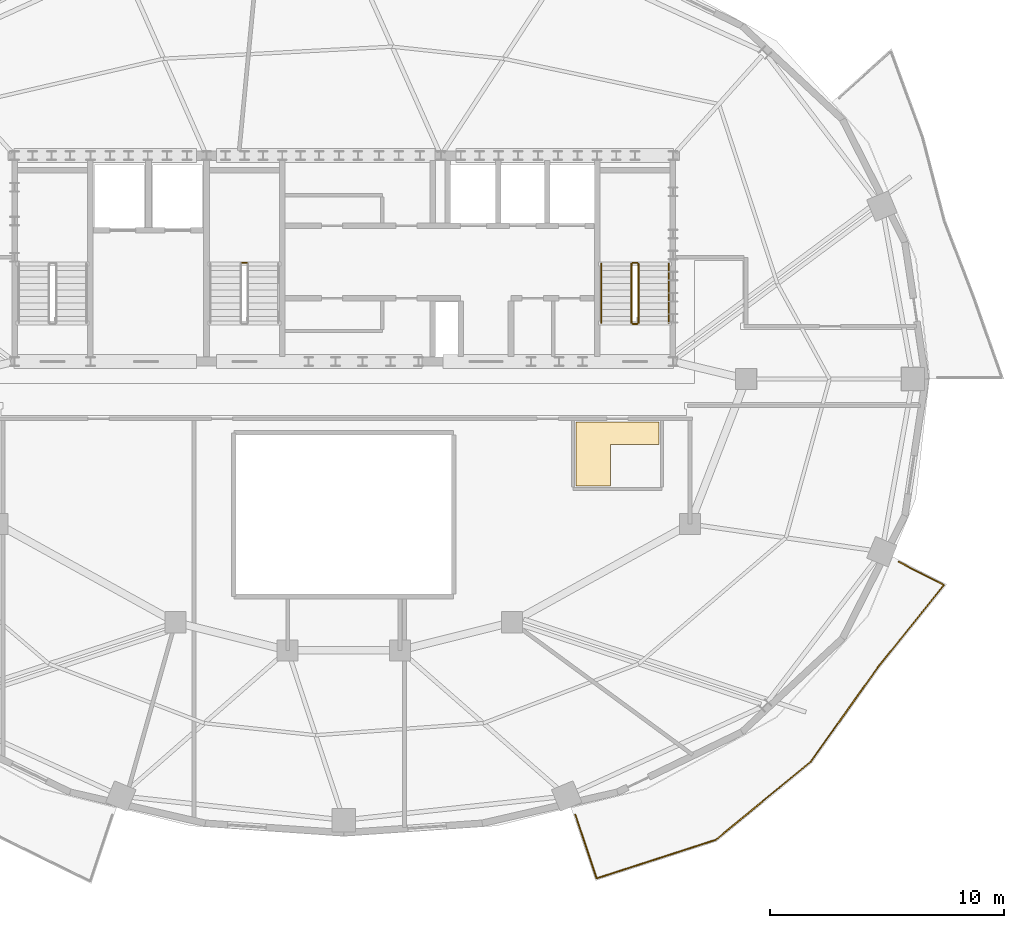
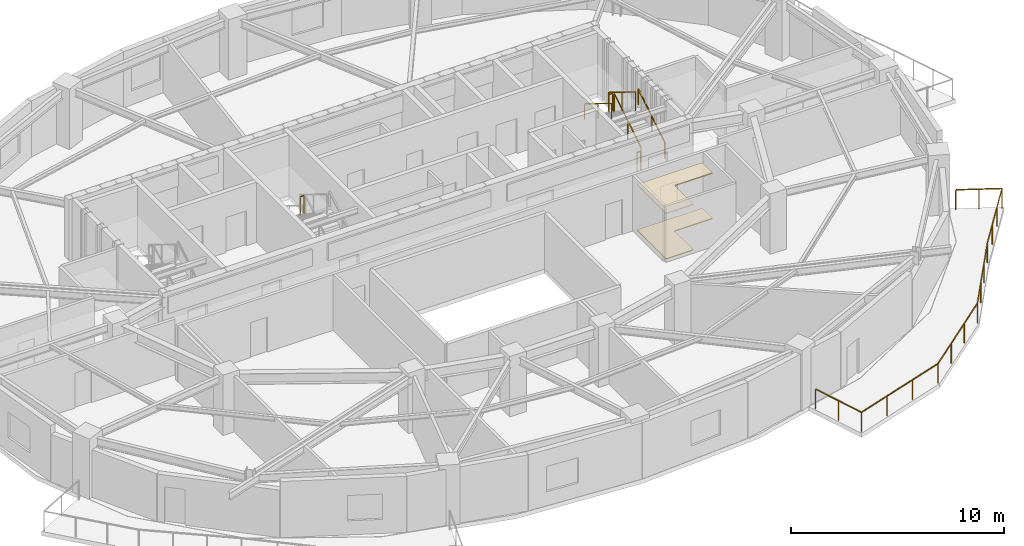
# One storey, part 9 of 10: 8 railings, 2 coverings.
"""IFC4 building model written with IfcOpenShell, lengths in metres."""

import ifcopenshell
import ifcopenshell.guid

model = None  # the IFC model being written
_history = None  # IfcOwnerHistory: only IFC2X3 demands one
_inside = {}  # id of a spatial element -> (the spatial element, [elements in it])
_under = {}  # id of a project, library or spatial element -> (it, [spatial elements below it])
_declared = {}  # id of a project -> (the project, [libraries it declares])
_typed = {}  # id of a type object -> (the type object, [elements of that type])
_made_of = {}  # id of a material, layer set ... -> (it, [elements and type objects made of it])


def new_model(schema):
    """Start an empty IFC model of exactly this schema.

    Asked for "IFC4X3", IfcOpenShell would pick the latest addendum, in which some entities
    have other attributes; the version numbers below select the first issue.
    IFC2X3 requires an IfcOwnerHistory on every rooted entity: one is made here for all.
    """
    global model, _history
    if schema == "IFC4X3":
        model = ifcopenshell.file(schema_version=(4, 3, 0, 0))
    else:
        model = ifcopenshell.file(schema=schema)
    _inside.clear()
    _under.clear()
    _declared.clear()
    _typed.clear()
    _made_of.clear()
    _history = None
    if model.schema == "IFC2X3":
        org = make("IfcOrganization", Name="unknown")
        user = make(
            "IfcPersonAndOrganization",
            ThePerson=make("IfcPerson", FamilyName="unknown"),
            TheOrganization=org,
        )
        app = make(
            "IfcApplication",
            ApplicationDeveloper=org,
            Version="unknown",
            ApplicationFullName="unknown",
            ApplicationIdentifier="unknown",
        )
        _history = make(
            "IfcOwnerHistory",
            OwningUser=user,
            OwningApplication=app,
            ChangeAction="ADDED",
            CreationDate=0,
        )
    return model


def make(cls, **values):
    """One entity of the class cls with the attributes given. An attribute that is None is left unset."""
    return model.create_entity(
        cls, **{name: value for name, value in values.items() if value is not None}
    )


def rooted(cls, **values):
    """An entity with a GlobalId (a new one), such as an element, a storey or a relation."""
    return make(cls, GlobalId=ifcopenshell.guid.new(), OwnerHistory=_history, **values)


def si_unit(unit_type, name, prefix=None):
    """IfcSIUnit, for example si_unit("LENGTHUNIT", "METRE", prefix="MILLI")."""
    return make("IfcSIUnit", UnitType=unit_type, Prefix=prefix, Name=name)


def assignment(units):
    """IfcUnitAssignment: the units of a project."""
    return None if units is None else make("IfcUnitAssignment", Units=units)


def point(xyz):
    """IfcCartesianPoint."""
    return None if xyz is None else make("IfcCartesianPoint", Coordinates=xyz)


def direction(xyz):
    """IfcDirection."""
    return None if xyz is None else make("IfcDirection", DirectionRatios=xyz)


def frame(location, z_axis=None, x_axis=None):
    """IfcAxis2Placement3D, a coordinate frame: its origin and axes. An axis left out is left unset."""
    return make(
        "IfcAxis2Placement3D",
        Location=point(location),
        Axis=direction(z_axis),
        RefDirection=direction(x_axis),
    )


def frame_2d(location, x_axis=None):
    """IfcAxis2Placement2D, a coordinate frame in the plane: its origin and x axis."""
    return make(
        "IfcAxis2Placement2D", Location=point(location), RefDirection=direction(x_axis)
    )


def origin():
    """The frame at (0, 0, 0) with its axes left unset."""
    return frame((0.0, 0.0, 0.0))


def origin_2d():
    """The frame at (0, 0) in the plane with its x axis left unset."""
    return frame_2d((0.0, 0.0))


def place(relative_to, where):
    """IfcLocalPlacement: puts the frame where relative to a parent placement (None: the world)."""
    return make(
        "IfcLocalPlacement", PlacementRelTo=relative_to, RelativePlacement=where
    )


def context(
    kind, dimensions, precision=None, world=None, true_north=None, identifier=None
):
    """IfcGeometricRepresentationContext, for example the 3D "Model" context."""
    return make(
        "IfcGeometricRepresentationContext",
        ContextIdentifier=identifier,
        ContextType=kind,
        CoordinateSpaceDimension=dimensions,
        Precision=precision,
        WorldCoordinateSystem=world,
        TrueNorth=true_north,
    )


def subcontext(parent, identifier, kind, view, scale=None):
    """IfcGeometricRepresentationSubContext, for example "Body" below "Model"."""
    return make(
        "IfcGeometricRepresentationSubContext",
        ContextIdentifier=identifier,
        ContextType=kind,
        ParentContext=parent,
        TargetScale=scale,
        TargetView=view,
    )


def project(units=None, contexts=None):
    """IfcProject with its units and contexts."""
    return rooted(
        "IfcProject",
        Name="project",
        RepresentationContexts=contexts,
        UnitsInContext=assignment(units),
    )


def spatial(cls, under=None, at=None, **own):
    """A site, building, storey or space (cls), placed at a placement, below another one or the project."""
    s = rooted(cls, ObjectPlacement=at, **own)
    if under is not None:
        _under.setdefault(under.id(), (under, []))[1].append(s)
    return s


def polyline(points):
    """IfcPolyline through the points."""
    return make("IfcPolyline", Points=[point(p) for p in points])


def profile(cls, at=None, kind="AREA", **sizes):
    """A parametric profile (cls). Its sizes go by their IFC names, for example OverallWidth=200.0."""
    return make(cls, ProfileType=kind, Position=at, **sizes)


def rectangle(**sizes):
    """IfcRectangleProfileDef."""
    return profile("IfcRectangleProfileDef", **sizes)


def outline(outer, holes=None, kind="AREA"):
    """IfcArbitraryClosedProfileDef: a profile drawn as a closed curve; with holes, ...WithVoids."""
    if holes is None:
        return make("IfcArbitraryClosedProfileDef", ProfileType=kind, OuterCurve=outer)
    return make(
        "IfcArbitraryProfileDefWithVoids",
        ProfileType=kind,
        OuterCurve=outer,
        InnerCurves=holes,
    )


def extrude(swept, where, along, depth):
    """IfcExtrudedAreaSolid: the profile swept, set in the frame where, extruded along a direction by depth."""
    return make(
        "IfcExtrudedAreaSolid",
        SweptArea=swept,
        Position=where,
        ExtrudedDirection=direction(along),
        Depth=depth,
    )


def shape(context_of_items, identifier, shape_type, items):
    """IfcShapeRepresentation: the items that make up one representation, for example the "Body"."""
    return make(
        "IfcShapeRepresentation",
        ContextOfItems=context_of_items,
        RepresentationIdentifier=identifier,
        RepresentationType=shape_type,
        Items=items,
    )


def material(Name=None, Category=None):
    """IfcMaterial."""
    return make("IfcMaterial", Name=Name, Category=Category)


def layer(
    of_material, thickness, ventilated=None, Name=None, Category=None, Priority=None
):
    """IfcMaterialLayer: one layer of a wall or slab, of a material (None: an air gap)."""
    return make(
        "IfcMaterialLayer",
        Material=of_material,
        LayerThickness=thickness,
        IsVentilated=ventilated,
        Name=Name,
        Category=Category,
        Priority=Priority,
    )


def layer_set(layers, Name=None):
    """IfcMaterialLayerSet."""
    return make("IfcMaterialLayerSet", MaterialLayers=layers, LayerSetName=Name)


def made_of(thing, what):
    """Note that an element or type object is made of a material, layer set ...; save() writes the relation."""
    if what is not None:
        _made_of.setdefault(what.id(), (what, []))[1].append(thing)
    return thing


def type_object(cls, material=None, **own):
    """A type object (cls), such as IfcWallType, which elements share."""
    return made_of(rooted(cls, **own), material)


def element(
    cls,
    number,
    at=None,
    inside=None,
    cuts=None,
    type_object=None,
    material=None,
    context=None,
    identifier="Body",
    shape_type=None,
    held_by="IfcProductDefinitionShape",
    body=None,
    shapes=None,
    **own,
):
    """One element of the class cls, such as IfcWall. Its Tag is "e" and its number.

    at: its placement. inside: the storey or other place that contains it. cuts: it is an
    opening in that element (IfcRelVoidsElement). A single representation is given by context,
    identifier, shape_type and body (its items); several are given by shapes. held_by: the class
    of the entity that holds the representations. save() writes the other relations.
    """
    e = rooted(cls, Tag="e%d" % number, ObjectPlacement=at, **own)
    if body is not None:
        shapes = [shape(context, identifier, shape_type, body)]
    if shapes is not None:
        e.Representation = make(held_by, Representations=shapes)
    if inside is not None:
        _inside.setdefault(inside.id(), (inside, []))[1].append(e)
    if cuts is not None:
        rooted(
            "IfcRelVoidsElement", RelatingBuildingElement=cuts, RelatedOpeningElement=e
        )
    if type_object is not None:
        _typed.setdefault(type_object.id(), (type_object, []))[1].append(e)
    return made_of(e, material)


def aggregate(whole, parts):
    """IfcRelAggregates: a whole, such as a stair, and the parts it consists of."""
    return rooted("IfcRelAggregates", RelatingObject=whole, RelatedObjects=parts)


def save(model, path):
    """Write the relations noted so far, then the file.

    IfcRelAggregates (storeys below a building ...), IfcRelContainedInSpatialStructure (elements
    in a storey), IfcRelDefinesByType, IfcRelAssociatesMaterial and IfcRelDeclares: one each for
    every whole, place, type object, material and project.
    """
    for whole, parts in _under.values():
        aggregate(whole, parts)
    for where, things in _inside.values():
        rooted(
            "IfcRelContainedInSpatialStructure",
            RelatedElements=things,
            RelatingStructure=where,
        )
    for kind, things in _typed.values():
        rooted("IfcRelDefinesByType", RelatedObjects=things, RelatingType=kind)
    for what, things in _made_of.values():
        rooted("IfcRelAssociatesMaterial", RelatedObjects=things, RelatingMaterial=what)
    for by, libraries in _declared.values():
        rooted("IfcRelDeclares", RelatingContext=by, RelatedDefinitions=libraries)
    model.write(path)


model = new_model("IFC4")

# Units and contexts
model_context = context("Model", 3, precision=1e-05, world=origin(), true_north=direction((0.0, 1.0)))
body_context = subcontext(model_context, "Body", "Model", "MODEL_VIEW")
ifc_project = project(units=[si_unit("LENGTHUNIT", "METRE"), si_unit("AREAUNIT", "SQUARE_METRE"), si_unit("VOLUMEUNIT", "CUBIC_METRE"), si_unit("PLANEANGLEUNIT", "RADIAN"), si_unit("MASSUNIT", "GRAM", prefix="KILO")], contexts=[model_context])

# Site, building, storey
site_placement = place(None, origin())
site = spatial("IfcSite", under=ifc_project, at=site_placement, CompositionType="ELEMENT")
building_placement = place(site_placement, origin())
building = spatial("IfcBuilding", under=site, at=building_placement, Name="Haldorwick Loom Tower", CompositionType="ELEMENT")
storey_placement = place(building_placement, frame((0.0, 0.0, 266.10009765625)))
storey = spatial("IfcBuildingStorey", under=building, at=storey_placement, Name="L72", CompositionType="ELEMENT", Elevation=266.10009765625)

# Coverings
ifc_material_1 = material(Name="Mineral Fibre Acoustic Ceiling Tile")
ifc_layer_1 = layer(ifc_material_1, 0.054931640625, Name="Mineral Fibre Acoustic Ceiling Tile")
ifc_layer_set_1 = layer_set([ifc_layer_1], Name="Mineral Fibre Acoustic Ceiling Tile")
covering_type_1 = type_object("IfcCoveringType", Name="ARC-COV-CEIL2", PredefinedType="CEILING", material=ifc_layer_set_1)
covering_1_placement = place(storey_placement, frame((0.0, 0.0, 2.594970703125)))
element("IfcCovering", 1, at=covering_1_placement, inside=storey, type_object=covering_type_1, Name="L72 Acoustic Suspended Ceiling 2", PredefinedType="CEILING", context=body_context, shape_type="SweptSolid", body=[
    extrude(outline(polyline([(45.929931640625, 24.159912109375), (45.929931640625, 21.429931640625), (47.39990234375, 21.429931640625), (47.39990234375, 23.199951171875), (49.469970703125, 23.199951171875), (49.469970703125, 24.159912109375), (45.929931640625, 24.159912109375)])), origin(), (0.0, 0.0, 1.0), 0.054931640625),
])
ifc_material_2 = material(Name="Polished Aggregate Terrazzo Finish")
ifc_layer_2 = layer(ifc_material_2, 0.044921875, Name="Polished Aggregate Terrazzo Finish")
ifc_layer_set_2 = layer_set([ifc_layer_2], Name="Polished Aggregate Terrazzo Finish")
covering_type_2 = type_object("IfcCoveringType", Name="ARC-COV-FLOOR2", PredefinedType="FLOORING", material=ifc_layer_set_2)
covering_2_placement = place(storey_placement, origin())
element("IfcCovering", 2, at=covering_2_placement, inside=storey, type_object=covering_type_2, Name="L72 Floor Finish 2", PredefinedType="FLOORING", context=body_context, shape_type="SweptSolid", body=[
    extrude(outline(polyline([(45.929931640625, 24.159912109375), (45.929931640625, 21.429931640625), (47.39990234375, 21.429931640625), (47.39990234375, 23.199951171875), (49.469970703125, 23.199951171875), (49.469970703125, 24.159912109375), (45.929931640625, 24.159912109375)])), origin(), (0.0, 0.0, 1.0), 0.044921875),
])

# Railings
ifc_material_3 = material(Name="Galvanized Steel CSA G40.21 350W", Category="steel")
railing_type_1 = type_object("IfcRailingType", Name="ARC-RLG-BAL115", PredefinedType="BALUSTRADE", material=ifc_material_3)
railing_1_placement = place(storey_placement, frame((59.728515625, 18.178955078125, 0.0)))
element("IfcRailing", 3, at=railing_1_placement, inside=storey, type_object=railing_type_1, Name="L72 Outdoor Terrace Guardrail SLB-L72-BAL_SE-1", PredefinedType="BALUSTRADE", context=body_context, shape_type="SweptSolid", body=[
    extrude(rectangle(XDim=0.048095703125, YDim=0.048095703125, at=origin_2d()), frame((0.0, 0.0, 1.1259765625), z_axis=(0.890008764947, -0.455943415697, 0.0), x_axis=(0.455943415697, 0.890008764947, 0.0)), (0.0, 0.0, 1.0), 2.164794921875),
    extrude(rectangle(XDim=0.048095703125, YDim=0.048095703125, at=origin_2d()), frame((1.9267578125, -0.987060546875, 1.1259765625), z_axis=(-0.62589540011, -0.779907012484, 0.0), x_axis=(0.779907012484, -0.62589540011, 0.0)), (0.0, 0.0, 1.0), 4.511474609375),
    extrude(rectangle(XDim=0.048095703125, YDim=0.048095703125, at=origin_2d()), frame((-0.89697265625, -4.505615234375, 1.1259765625), z_axis=(-0.591363663628, -0.806404995856, 0.0), x_axis=(0.806404995856, -0.591363663628, 0.0)), (0.0, 0.0, 1.0), 0.004638671875),
    extrude(rectangle(XDim=0.048095703125, YDim=0.048095703125, at=origin_2d()), frame((-0.899658203125, -4.50927734375, 1.1259765625), z_axis=(-0.579388740846, -0.815051340089, 0.0), x_axis=(0.815051340089, -0.579388740846, 0.0)), (0.0, 0.0, 1.0), 4.9365234375),
    extrude(rectangle(XDim=0.048095703125, YDim=0.048095703125, at=origin_2d()), frame((-3.759765625, -8.53271484375, 1.1259765625), z_axis=(-0.771891379057, -0.635754432889, 0.0), x_axis=(0.635754432889, -0.771891379057, 0.0)), (0.0, 0.0, 1.0), 5.259765625),
    extrude(rectangle(XDim=0.048095703125, YDim=0.048095703125, at=origin_2d()), frame((-7.81982421875, -11.876708984375, 1.1259765625), z_axis=(-0.95121198091, -0.308538113325, 0.0), x_axis=(0.308538113325, -0.95121198091, 0.0)), (0.0, 0.0, 1.0), 5.360107421875),
    extrude(rectangle(XDim=0.048095703125, YDim=0.048095703125, at=origin_2d()), frame((-12.91845703125, -13.530517578125, 1.1259765625), z_axis=(-0.316840445478, 0.948478851693, 0.0), x_axis=(-0.948478851693, -0.316840445478, 0.0)), (0.0, 0.0, 1.0), 2.86865234375),
    extrude(rectangle(XDim=0.0419921875, YDim=0.0419921875, at=origin_2d()), origin(), (0.0, 0.0, 1.0), 1.101806640625),
    extrude(rectangle(XDim=0.0419921875, YDim=0.0419921875, at=origin_2d()), frame((0.96337890625, -0.49365234375, 0.0)), (0.0, 0.0, 1.0), 1.101806640625),
    extrude(rectangle(XDim=0.0419921875, YDim=0.0419921875, at=origin_2d()), frame((1.9267578125, -0.987060546875, 0.0)), (0.0, 0.0, 1.0), 1.101806640625),
    extrude(rectangle(XDim=0.0419921875, YDim=0.0419921875, at=origin_2d()), frame((0.985595703125, -2.159912109375, 0.0)), (0.0, 0.0, 1.0), 1.101806640625),
    extrude(rectangle(XDim=0.0419921875, YDim=0.0419921875, at=origin_2d()), frame((0.044189453125, -3.332763671875, 0.0)), (0.0, 0.0, 1.0), 1.101806640625),
    extrude(rectangle(XDim=0.0419921875, YDim=0.0419921875, at=origin_2d()), frame((-0.89697265625, -4.505615234375, 0.0)), (0.0, 0.0, 1.0), 1.101806640625),
    extrude(rectangle(XDim=0.0419921875, YDim=0.0419921875, at=origin_2d()), frame((-1.85302734375, -5.850341796875, 0.0)), (0.0, 0.0, 1.0), 1.101806640625),
    extrude(rectangle(XDim=0.0419921875, YDim=0.0419921875, at=origin_2d()), frame((-2.806396484375, -7.191650390625, 0.0)), (0.0, 0.0, 1.0), 1.101806640625),
    extrude(rectangle(XDim=0.0419921875, YDim=0.0419921875, at=origin_2d()), frame((-3.759765625, -8.53271484375, 0.0)), (0.0, 0.0, 1.0), 1.101806640625),
    extrude(rectangle(XDim=0.0419921875, YDim=0.0419921875, at=origin_2d()), frame((-5.113037109375, -9.6474609375, 0.0)), (0.0, 0.0, 1.0), 1.101806640625),
    extrude(rectangle(XDim=0.0419921875, YDim=0.0419921875, at=origin_2d()), frame((-6.466552734375, -10.761962890625, 0.0)), (0.0, 0.0, 1.0), 1.101806640625),
    extrude(rectangle(XDim=0.0419921875, YDim=0.0419921875, at=origin_2d()), frame((-7.81982421875, -11.876708984375, 0.0)), (0.0, 0.0, 1.0), 1.101806640625),
    extrude(rectangle(XDim=0.0419921875, YDim=0.0419921875, at=origin_2d()), frame((-9.519287109375, -12.427978515625, 0.0)), (0.0, 0.0, 1.0), 1.101806640625),
    extrude(rectangle(XDim=0.0419921875, YDim=0.0419921875, at=origin_2d()), frame((-11.218994140625, -12.979248046875, 0.0)), (0.0, 0.0, 1.0), 1.101806640625),
    extrude(rectangle(XDim=0.0419921875, YDim=0.0419921875, at=origin_2d()), frame((-12.91845703125, -13.530517578125, 0.0)), (0.0, 0.0, 1.0), 1.101806640625),
    extrude(rectangle(XDim=0.0419921875, YDim=0.0419921875, at=origin_2d()), frame((-13.373046875, -12.169921875, 0.0)), (0.0, 0.0, 1.0), 1.101806640625),
    extrude(rectangle(XDim=0.0419921875, YDim=0.0419921875, at=origin_2d()), frame((-13.827392578125, -10.8095703125, 0.0)), (0.0, 0.0, 1.0), 1.101806640625),
])
ifc_material_4 = material(Name="Steel CSA G40.21 350W", Category="steel")
railing_type_2 = type_object("IfcRailingType", Name="ARC-RLG-GUARD112", PredefinedType="GUARDRAIL", material=ifc_material_4)
railing_2_placement = place(storey_placement, frame((48.60009765625, 28.39990234375, 0.17236328125)))
element("IfcRailing", 4, at=railing_2_placement, inside=storey, type_object=railing_type_2, Name="L72 ST-02 stair guard 1", PredefinedType="GUARDRAIL", context=body_context, shape_type="SweptSolid", body=[
    extrude(rectangle(XDim=0.048095703125, YDim=0.048095703125, at=origin_2d()), frame((0.0, 0.0, 1.076171875), z_axis=(0.0, 0.851400495292, 0.524516154772), x_axis=(-1.0, 0.0, 0.0)), (0.0, 0.0, 1.0), 2.9599609375),
    extrude(rectangle(XDim=0.0419921875, YDim=0.0419921875, at=origin_2d()), origin(), (0.0, 0.0, 1.0), 1.052001953125),
    extrude(rectangle(XDim=0.0419921875, YDim=0.0419921875, at=origin_2d()), frame((0.0, 1.260009765625, 0.7763671875)), (0.0, 0.0, 1.0), 1.052001953125),
    extrude(rectangle(XDim=0.0419921875, YDim=0.0419921875, at=origin_2d()), frame((0.0, 2.52001953125, 1.552490234375)), (0.0, 0.0, 1.0), 1.052001953125),
])
railing_3_placement = place(storey_placement, frame((48.550048828125, 30.969970703125, 1.724853515625)))
element("IfcRailing", 5, at=railing_3_placement, inside=storey, type_object=railing_type_2, Name="L72 ST-02 stair guard 2", PredefinedType="GUARDRAIL", context=body_context, shape_type="SweptSolid", body=[
    extrude(rectangle(XDim=0.048095703125, YDim=0.048095703125, at=origin_2d()), frame((0.0, 0.0, 1.076171875), z_axis=(-1.0, 0.0, 0.0), x_axis=(0.0, -1.0, 0.0)), (0.0, 0.0, 1.0), 0.199951171875),
    extrude(rectangle(XDim=0.0419921875, YDim=0.0419921875, at=origin_2d()), origin(), (0.0, 0.0, 1.0), 1.052001953125),
    extrude(rectangle(XDim=0.0419921875, YDim=0.0419921875, at=origin_2d()), frame((-0.199951171875, 0.0, 0.0)), (0.0, 0.0, 1.0), 1.052001953125),
])
railing_4_placement = place(storey_placement, frame((48.300048828125, 30.919921875, 1.8974609375)))
element("IfcRailing", 6, at=railing_4_placement, inside=storey, type_object=railing_type_2, Name="L72 ST-02 stair guard 3", PredefinedType="GUARDRAIL", context=body_context, shape_type="SweptSolid", body=[
    extrude(rectangle(XDim=0.048095703125, YDim=0.048095703125, at=origin_2d()), frame((0.0, 0.0, 1.076171875), z_axis=(0.0, -0.851400495292, 0.524516154772), x_axis=(1.0, 0.0, 0.0)), (0.0, 0.0, 1.0), 2.9599609375),
    extrude(rectangle(XDim=0.0419921875, YDim=0.0419921875, at=origin_2d()), origin(), (0.0, 0.0, 1.0), 1.052001953125),
    extrude(rectangle(XDim=0.0419921875, YDim=0.0419921875, at=origin_2d()), frame((0.0, -1.260009765625, 0.7763671875)), (0.0, 0.0, 1.0), 1.052001953125),
    extrude(rectangle(XDim=0.0419921875, YDim=0.0419921875, at=origin_2d()), frame((0.0, -2.52001953125, 1.552490234375)), (0.0, 0.0, 1.0), 1.052001953125),
])
railing_5_placement = place(storey_placement, frame((48.550048828125, 28.35009765625, 0.0)))
element("IfcRailing", 7, at=railing_5_placement, inside=storey, type_object=railing_type_2, Name="L72 ST-02 stair guard 4", PredefinedType="GUARDRAIL", context=body_context, shape_type="SweptSolid", body=[
    extrude(rectangle(XDim=0.048095703125, YDim=0.048095703125, at=origin_2d()), frame((0.0, 0.0, 1.076171875), z_axis=(-1.0, 0.0, 0.0), x_axis=(0.0, -1.0, 0.0)), (0.0, 0.0, 1.0), 0.199951171875),
    extrude(rectangle(XDim=0.0419921875, YDim=0.0419921875, at=origin_2d()), origin(), (0.0, 0.0, 1.0), 1.052001953125),
    extrude(rectangle(XDim=0.0419921875, YDim=0.0419921875, at=origin_2d()), frame((-0.199951171875, 0.0, 0.0)), (0.0, 0.0, 1.0), 1.052001953125),
])
railing_6_placement = place(storey_placement, frame((31.85009765625, 30.969970703125, 1.724853515625)))
element("IfcRailing", 8, at=railing_6_placement, inside=storey, type_object=railing_type_2, Name="L72 ST-03 stair guard 2", PredefinedType="GUARDRAIL", context=body_context, shape_type="SweptSolid", body=[
    extrude(rectangle(XDim=0.048095703125, YDim=0.048095703125, at=origin_2d()), frame((0.0, 0.0, 1.076171875), z_axis=(-1.0, 0.0, 0.0), x_axis=(0.0, -1.0, 0.0)), (0.0, 0.0, 1.0), 0.2001953125),
    extrude(rectangle(XDim=0.0419921875, YDim=0.0419921875, at=origin_2d()), origin(), (0.0, 0.0, 1.0), 1.052001953125),
    extrude(rectangle(XDim=0.0419921875, YDim=0.0419921875, at=origin_2d()), frame((-0.2001953125, 0.0, 0.0)), (0.0, 0.0, 1.0), 1.052001953125),
])
railing_type_3 = type_object("IfcRailingType", Name="ARC-RLG-HAND092", PredefinedType="HANDRAIL", material=ifc_material_4)
railing_7_placement = place(storey_placement, frame((49.89990234375, 28.39990234375, 0.17236328125)))
element("IfcRailing", 9, at=railing_7_placement, inside=storey, type_object=railing_type_3, Name="L72 ST-02 stair handrail 1", PredefinedType="HANDRAIL", context=body_context, shape_type="SweptSolid", body=[
    extrude(rectangle(XDim=0.048095703125, YDim=0.048095703125, at=origin_2d()), frame((0.0, 0.0, 0.8759765625), z_axis=(0.0, 0.851400495292, 0.524516154772), x_axis=(-1.0, 0.0, 0.0)), (0.0, 0.0, 1.0), 2.9599609375),
    extrude(rectangle(XDim=0.0419921875, YDim=0.0419921875, at=origin_2d()), origin(), (0.0, 0.0, 1.0), 0.851806640625),
    extrude(rectangle(XDim=0.0419921875, YDim=0.0419921875, at=origin_2d()), frame((0.0, 1.260009765625, 0.7763671875)), (0.0, 0.0, 1.0), 0.851806640625),
    extrude(rectangle(XDim=0.0419921875, YDim=0.0419921875, at=origin_2d()), frame((0.0, 2.52001953125, 1.552490234375)), (0.0, 0.0, 1.0), 0.851806640625),
])
railing_8_placement = place(storey_placement, frame((47.0, 30.919921875, 1.8974609375)))
element("IfcRailing", 10, at=railing_8_placement, inside=storey, type_object=railing_type_3, Name="L72 ST-02 stair handrail 2", PredefinedType="HANDRAIL", context=body_context, shape_type="SweptSolid", body=[
    extrude(rectangle(XDim=0.048095703125, YDim=0.048095703125, at=origin_2d()), frame((0.0, 0.0, 0.8759765625), z_axis=(0.0, -0.851400495292, 0.524516154772), x_axis=(1.0, 0.0, 0.0)), (0.0, 0.0, 1.0), 2.9599609375),
    extrude(rectangle(XDim=0.0419921875, YDim=0.0419921875, at=origin_2d()), origin(), (0.0, 0.0, 1.0), 0.851806640625),
    extrude(rectangle(XDim=0.0419921875, YDim=0.0419921875, at=origin_2d()), frame((0.0, -1.260009765625, 0.7763671875)), (0.0, 0.0, 1.0), 0.851806640625),
    extrude(rectangle(XDim=0.0419921875, YDim=0.0419921875, at=origin_2d()), frame((0.0, -2.52001953125, 1.552490234375)), (0.0, 0.0, 1.0), 0.851806640625),
])

save(model, "model.ifc")
